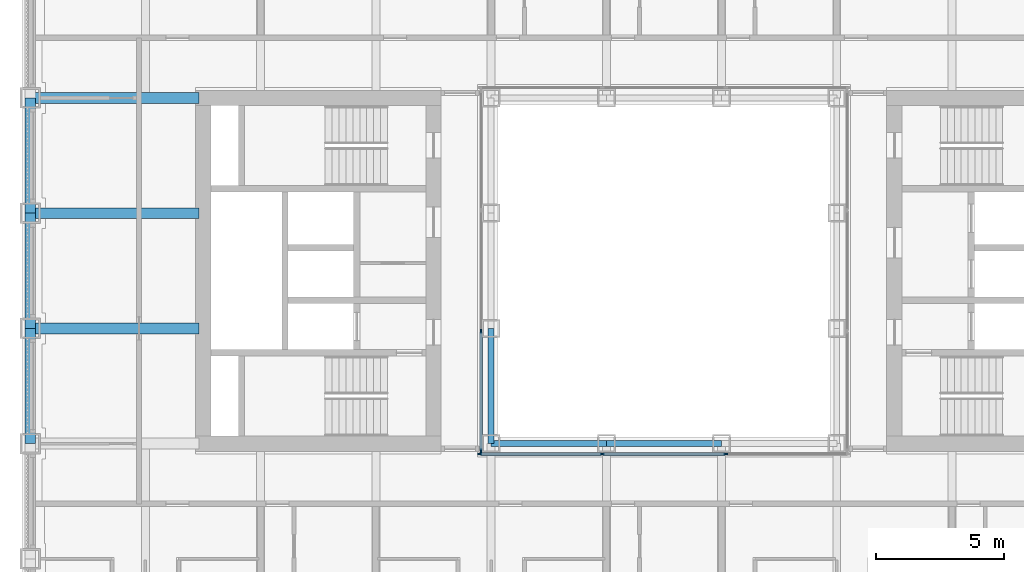
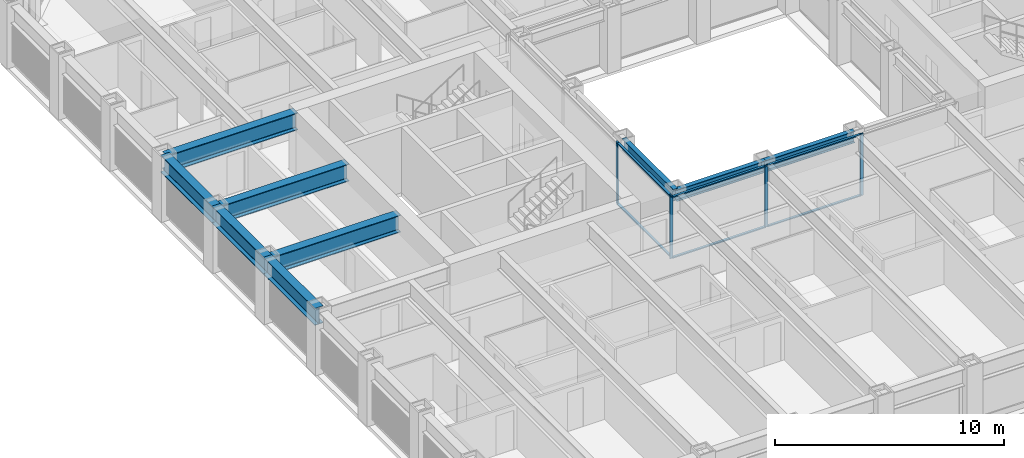
# One storey, part 3 of 21: 11 members, 9 beams, 2 elements without a shape of their own.
"""IFC4 building model written with IfcOpenShell, lengths in metres."""

from ifc_helpers import new_model, si_unit, direction, frame, origin, origin_2d, place, context, subcontext, project, spatial, rectangle, i_section, extrude, material, material_profile, profile_set, type_object, element, aggregate, save


model = new_model("IFC4")

# Units and contexts
model_context = context("Model", 3, precision=1e-05, world=origin(), true_north=direction((0.0, 1.0)))
body_context = subcontext(model_context, "Body", "Model", "MODEL_VIEW")
ifc_project = project(units=[si_unit("LENGTHUNIT", "METRE"), si_unit("AREAUNIT", "SQUARE_METRE"), si_unit("VOLUMEUNIT", "CUBIC_METRE"), si_unit("PLANEANGLEUNIT", "RADIAN"), si_unit("MASSUNIT", "GRAM", prefix="KILO")], contexts=[model_context])

# Site, building, storey
site_placement = place(None, origin())
site = spatial("IfcSite", under=ifc_project, at=site_placement, CompositionType="ELEMENT")
building_placement = place(site_placement, origin())
building = spatial("IfcBuilding", under=site, at=building_placement, Name="Msasa Ring Tower", CompositionType="ELEMENT")
storey_placement = place(building_placement, frame((0.0, 0.0, 44.0)))
storey = spatial("IfcBuildingStorey", under=building, at=storey_placement, Name="L10", CompositionType="ELEMENT", Elevation=44.0)

# Curtain wall, members
ifc_material_1 = material(Name="Aluminium curtain wall with clear glass", Category="aluminium")
curtain_wall_type = type_object("IfcCurtainWallType", Name="CW-W LIGHT WELL CURTAIN WALL", PredefinedType="NOTDEFINED", material=ifc_material_1)
curtain_wall_1_placement = place(storey_placement, origin())
curtain_wall_1 = element("IfcCurtainWall", 1, at=curtain_wall_1_placement, inside=storey, type_object=curtain_wall_type, Name="Light well curtain wall S L10", PredefinedType="NOTDEFINED")
ifc_material_2 = material(Name="Aluminium mullion", Category="aluminium")
ifc_material_profile_1 = material_profile(ifc_material_2, rectangle(XDim=0.06005859375, YDim=0.159912109375, at=origin_2d()), Name="AL 60x160")
ifc_profile_set_1 = profile_set([ifc_material_profile_1], Name="Aluminium mullion")
member_type_1 = type_object("IfcMemberType", Name="CW-W MULLION 60x160", PredefinedType="MULLION", material=ifc_profile_set_1)
member_1_placement = place(storey_placement, frame((-7.199951171875, -7.14990234375, 0.0), z_axis=(0.0, 0.0, 1.0), x_axis=(0.0, 1.0, 0.0)))
member_1 = element("IfcMember", 2, at=member_1_placement, type_object=member_type_1, Name="CW-W mullion 1", PredefinedType="MULLION", context=body_context, shape_type="SweptSolid", body=[
    extrude(rectangle(XDim=0.06005859375, YDim=0.159912109375, at=origin_2d()), origin(), (0.0, 0.0, 1.0), 3.300048828125),
])
member_2_placement = place(storey_placement, frame((-2.409912109375, -7.14990234375, 0.0), z_axis=(0.0, 0.0, 1.0), x_axis=(0.0, 1.0, 0.0)))
member_2 = element("IfcMember", 3, at=member_2_placement, type_object=member_type_1, Name="CW-W mullion 2", PredefinedType="MULLION", context=body_context, shape_type="SweptSolid", body=[
    extrude(rectangle(XDim=0.06005859375, YDim=0.159912109375, at=origin_2d()), origin(), (0.0, 0.0, 1.0), 3.300048828125),
])
member_3_placement = place(storey_placement, frame((2.409912109375, -7.14990234375, 0.0), z_axis=(0.0, 0.0, 1.0), x_axis=(0.0, 1.0, 0.0)))
member_3 = element("IfcMember", 4, at=member_3_placement, type_object=member_type_1, Name="CW-W mullion 3", PredefinedType="MULLION", context=body_context, shape_type="SweptSolid", body=[
    extrude(rectangle(XDim=0.06005859375, YDim=0.159912109375, at=origin_2d()), origin(), (0.0, 0.0, 1.0), 3.300048828125),
])

curtain_wall_2_placement = place(storey_placement, origin())
curtain_wall_2 = element("IfcCurtainWall", 5, at=curtain_wall_2_placement, inside=storey, type_object=curtain_wall_type, Name="Light well curtain wall W L10", PredefinedType="NOTDEFINED")
member_4_placement = place(storey_placement, frame((-7.14990234375, -7.0400390625, 0.0), z_axis=(0.0, 0.0, 1.0), x_axis=(-1.0, 0.0, 0.0)))
member_4 = element("IfcMember", 6, at=member_4_placement, type_object=member_type_1, Name="CW-W mullion 1", PredefinedType="MULLION", context=body_context, shape_type="SweptSolid", body=[
    extrude(rectangle(XDim=0.06005859375, YDim=0.159912109375, at=origin_2d()), origin(), (0.0, 0.0, 1.0), 3.300048828125),
])
member_5_placement = place(storey_placement, frame((-7.14990234375, -2.356689453125, 0.0), z_axis=(0.0, 0.0, 1.0), x_axis=(-1.0, 0.0, 0.0)))
member_5 = element("IfcMember", 7, at=member_5_placement, type_object=member_type_1, Name="CW-W mullion 2", PredefinedType="MULLION", context=body_context, shape_type="SweptSolid", body=[
    extrude(rectangle(XDim=0.06005859375, YDim=0.159912109375, at=origin_2d()), origin(), (0.0, 0.0, 1.0), 3.300048828125),
])

# Member
ifc_material_3 = material(Name="Aluminium transom", Category="aluminium")
ifc_material_profile_2 = material_profile(ifc_material_3, rectangle(XDim=0.1201171875, YDim=0.06005859375, at=origin_2d()), Name="AL 60x120")
ifc_profile_set_2 = profile_set([ifc_material_profile_2], Name="Aluminium transom")
member_type_2 = type_object("IfcMemberType", Name="CW-W TRANSOM 60x120", PredefinedType="USERDEFINED", material=ifc_profile_set_2)
member_6_placement = place(storey_placement, frame((-7.169921875, -7.14990234375, 0.030029296875), z_axis=(1.0, 0.0, 0.0), x_axis=(0.0, 1.0, 0.0)))
member_6 = element("IfcMember", 8, at=member_6_placement, type_object=member_type_2, Name="CW-W transom 1.1", ObjectType="TRANSOM", PredefinedType="USERDEFINED", context=body_context, shape_type="SweptSolid", body=[
    extrude(rectangle(XDim=0.1201171875, YDim=0.06005859375, at=origin_2d()), origin(), (0.0, 0.0, 1.0), 4.72998046875),
])

member_7_placement = place(storey_placement, frame((-7.169921875, -7.14990234375, 3.27001953125), z_axis=(1.0, 0.0, 0.0), x_axis=(0.0, 1.0, 0.0)))
member_7 = element("IfcMember", 9, at=member_7_placement, type_object=member_type_2, Name="CW-W transom 1.2", ObjectType="TRANSOM", PredefinedType="USERDEFINED", context=body_context, shape_type="SweptSolid", body=[
    extrude(rectangle(XDim=0.1201171875, YDim=0.06005859375, at=origin_2d()), origin(), (0.0, 0.0, 1.0), 4.72998046875),
])

member_8_placement = place(storey_placement, frame((-2.3798828125, -7.14990234375, 0.030029296875), z_axis=(1.0, 0.0, 0.0), x_axis=(0.0, 1.0, 0.0)))
member_8 = element("IfcMember", 10, at=member_8_placement, type_object=member_type_2, Name="CW-W transom 2.1", ObjectType="TRANSOM", PredefinedType="USERDEFINED", context=body_context, shape_type="SweptSolid", body=[
    extrude(rectangle(XDim=0.1201171875, YDim=0.06005859375, at=origin_2d()), origin(), (0.0, 0.0, 1.0), 4.759765625),
])

member_9_placement = place(storey_placement, frame((-2.3798828125, -7.14990234375, 3.27001953125), z_axis=(1.0, 0.0, 0.0), x_axis=(0.0, 1.0, 0.0)))
member_9 = element("IfcMember", 11, at=member_9_placement, type_object=member_type_2, Name="CW-W transom 2.2", ObjectType="TRANSOM", PredefinedType="USERDEFINED", context=body_context, shape_type="SweptSolid", body=[
    extrude(rectangle(XDim=0.1201171875, YDim=0.06005859375, at=origin_2d()), origin(), (0.0, 0.0, 1.0), 4.759765625),
])

aggregate(curtain_wall_1, [member_1, member_2, member_3, member_6, member_7, member_8, member_9])

member_10_placement = place(storey_placement, frame((-7.14990234375, -7.010009765625, 0.030029296875), z_axis=(0.0, 1.0, 0.0), x_axis=(-1.0, 0.0, 0.0)))
member_10 = element("IfcMember", 12, at=member_10_placement, type_object=member_type_2, Name="CW-W transom 1.1", ObjectType="TRANSOM", PredefinedType="USERDEFINED", context=body_context, shape_type="SweptSolid", body=[
    extrude(rectangle(XDim=0.1201171875, YDim=0.06005859375, at=origin_2d()), origin(), (0.0, 0.0, 1.0), 4.623291015625),
])

member_11_placement = place(storey_placement, frame((-7.14990234375, -7.010009765625, 3.27001953125), z_axis=(0.0, 1.0, 0.0), x_axis=(-1.0, 0.0, 0.0)))
member_11 = element("IfcMember", 13, at=member_11_placement, type_object=member_type_2, Name="CW-W transom 1.2", ObjectType="TRANSOM", PredefinedType="USERDEFINED", context=body_context, shape_type="SweptSolid", body=[
    extrude(rectangle(XDim=0.1201171875, YDim=0.06005859375, at=origin_2d()), origin(), (0.0, 0.0, 1.0), 4.623291015625),
])

aggregate(curtain_wall_2, [member_4, member_5, member_10, member_11])

# Beams
ifc_material_4 = material(Name="Steel S355", Category="steel")
ifc_material_profile_3 = material_profile(ifc_material_4, i_section(OverallWidth=0.42041015625, OverallDepth=0.9208984375, WebThickness=0.021484375, FlangeThickness=0.03662109375, FilletRadius=0.024169921875, at=origin_2d()), Name="UB 914x419x388")
ifc_profile_set_3 = profile_set([ifc_material_profile_3], Name="Steel S355")
beam_type_1 = type_object("IfcBeamType", Name="FB2 UB 914x419x388", PredefinedType="BEAM", material=ifc_profile_set_3)
for number, where, z_axis, x_axis, name in (
    (14, (-24.75, -2.25, 2.839599609375), (1.0, 0.0, 0.0), (0.0, 1.0, 0.0), "Floor beam W -2.25 under L11"),
    (15, (-24.75, 2.25, 2.839599609375), (1.0, 0.0, 0.0), (0.0, 1.0, 0.0), "Floor beam W +2.25 under L11"),
):
    element("IfcBeam", number, at=place(storey_placement, frame(where, z_axis=z_axis, x_axis=x_axis)), inside=storey, type_object=beam_type_1, Name=name, PredefinedType="BEAM", context=body_context, shape_type="SweptSolid", body=[
        extrude(i_section(OverallWidth=0.42041015625, OverallDepth=0.9208984375, WebThickness=0.021484375, FlangeThickness=0.03662109375, FilletRadius=0.024169921875, at=origin_2d()), origin(), (0.0, 0.0, 1.0), 6.60009765625),
    ])
ifc_material_5 = material(Name="Steel S355", Category="steel")
ifc_material_profile_4 = material_profile(ifc_material_5, i_section(OverallWidth=0.42041015625, OverallDepth=0.9208984375, WebThickness=0.021484375, FlangeThickness=0.03662109375, FilletRadius=0.024169921875, at=origin_2d()), Name="UB 914x419x388")
ifc_profile_set_4 = profile_set([ifc_material_profile_4], Name="Steel S355")
beam_type_2 = type_object("IfcBeamType", Name="GB1 UB 914x419x388", PredefinedType="BEAM", material=ifc_profile_set_4)
beam_placement = place(storey_placement, frame((-18.14990234375, 6.75, 2.839599609375), z_axis=(-1.0, 0.0, 0.0), x_axis=(0.0, -1.0, 0.0)))
element("IfcBeam", 16, at=beam_placement, inside=storey, type_object=beam_type_2, Name="Girder W +6.75 under L11", PredefinedType="BEAM", context=body_context, shape_type="SweptSolid", body=[
    extrude(i_section(OverallWidth=0.42041015625, OverallDepth=0.9208984375, WebThickness=0.021484375, FlangeThickness=0.03662109375, FilletRadius=0.024169921875, at=origin_2d()), origin(), (0.0, 0.0, 1.0), 6.60009765625),
])
ifc_material_6 = material(Name="Steel S355", Category="steel")
ifc_material_profile_5 = material_profile(ifc_material_6, i_section(OverallWidth=0.230224609375, OverallDepth=0.6171875, WebThickness=0.01318359375, FlangeThickness=0.022216796875, FilletRadius=0.0126953125, at=origin_2d()), Name="UB 610x229x140")
ifc_profile_set_5 = profile_set([ifc_material_profile_5], Name="Steel S355")
beam_type_3 = type_object("IfcBeamType", Name="RB1 UB 610x229x140", PredefinedType="BEAM", material=ifc_profile_set_5)
for number, where, z_axis, x_axis, name in (
    (17, (-6.75, -2.25, 2.991455078125), (0.0, -1.0, 0.0), (1.0, 0.0, 0.0), "Inner ring beam IR-6.75-2.25 under L11"),
    (18, (-6.75, -6.75, 2.991455078125), (1.0, 0.0, 0.0), (0.0, 1.0, 0.0), "Inner ring beam IR-6.75-6.75 under L11"),
    (19, (-2.25, -6.75, 2.991455078125), (1.0, 0.0, 0.0), (0.0, 1.0, 0.0), "Inner ring beam IR-2.25-6.75 under L11"),
):
    element("IfcBeam", number, at=place(storey_placement, frame(where, z_axis=z_axis, x_axis=x_axis)), inside=storey, type_object=beam_type_3, Name=name, PredefinedType="BEAM", context=body_context, shape_type="SweptSolid", body=[
        extrude(i_section(OverallWidth=0.230224609375, OverallDepth=0.6171875, WebThickness=0.01318359375, FlangeThickness=0.022216796875, FilletRadius=0.0126953125, at=origin_2d()), origin(), (0.0, 0.0, 1.0), 4.5),
    ])
ifc_material_7 = material(Name="Steel S355", Category="steel")
ifc_material_profile_6 = material_profile(ifc_material_7, i_section(OverallWidth=0.42041015625, OverallDepth=0.9208984375, WebThickness=0.021484375, FlangeThickness=0.03662109375, FilletRadius=0.024169921875, at=origin_2d()), Name="UB 914x419x388")
ifc_profile_set_6 = profile_set([ifc_material_profile_6], Name="Steel S355")
beam_type_4 = type_object("IfcBeamType", Name="SB1 UB 914x419x388", PredefinedType="SPANDREL", material=ifc_profile_set_6)
for number, where, z_axis, x_axis, name in (
    (20, (-24.75, -2.25, 2.839599609375), (0.0, -1.0, 0.0), (1.0, 0.0, 0.0), "Spandrel W-2.25 to W-6.75 under L11"),
    (21, (-24.75, 6.75, 2.839599609375), (0.0, -1.0, 0.0), (1.0, 0.0, 0.0), "Spandrel W+6.75 to W+2.25 under L11"),
    (22, (-24.75, 2.25, 2.839599609375), (0.0, -1.0, 0.0), (1.0, 0.0, 0.0), "Spandrel W+2.25 to W-2.25 under L11"),
):
    element("IfcBeam", number, at=place(storey_placement, frame(where, z_axis=z_axis, x_axis=x_axis)), inside=storey, type_object=beam_type_4, Name=name, PredefinedType="SPANDREL", context=body_context, shape_type="SweptSolid", body=[
        extrude(i_section(OverallWidth=0.42041015625, OverallDepth=0.9208984375, WebThickness=0.021484375, FlangeThickness=0.03662109375, FilletRadius=0.024169921875, at=origin_2d()), origin(), (0.0, 0.0, 1.0), 4.5),
    ])

save(model, "model.ifc")
